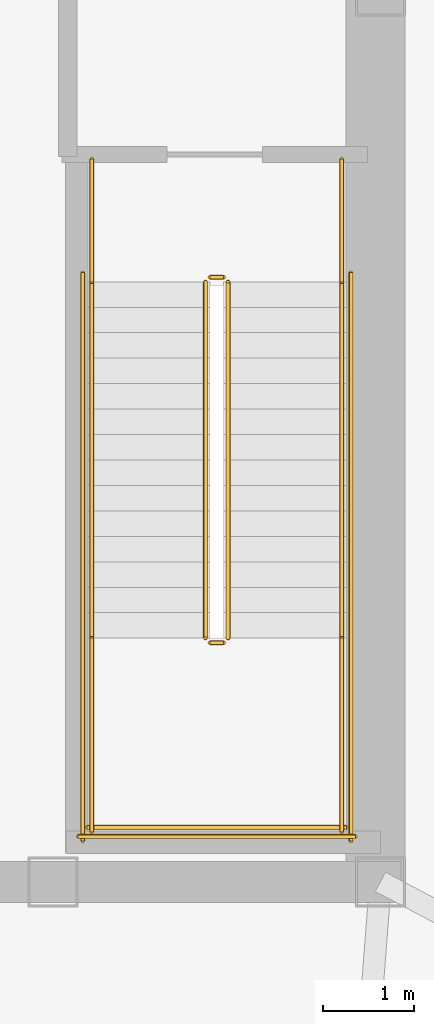
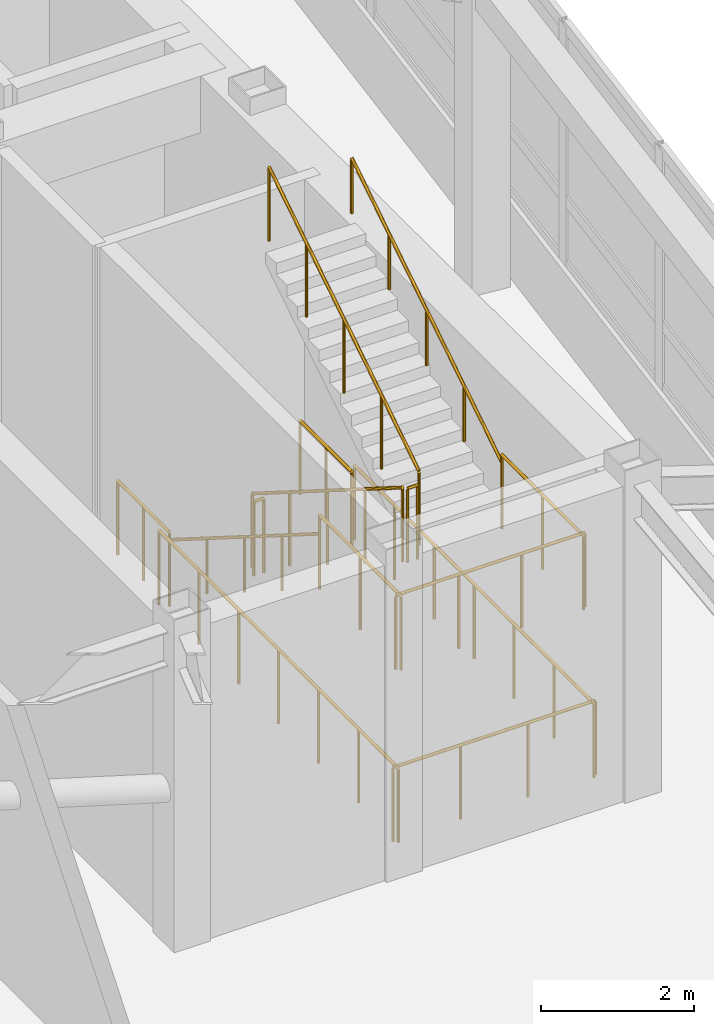
# One storey, part 23 of 23: 14 railings.
"""IFC4 building model written with IfcOpenShell, lengths in metres."""

from ifc_helpers import new_model, si_unit, direction, frame, origin, origin_2d, place, context, subcontext, project, spatial, circle, extrude, material, type_object, element, save


model = new_model("IFC4")

# Units and contexts
model_context = context("Model", 3, precision=1e-05, world=origin(), true_north=direction((0.0, 1.0)))
body_context = subcontext(model_context, "Body", "Model", "MODEL_VIEW")
ifc_project = project(units=[si_unit("LENGTHUNIT", "METRE"), si_unit("AREAUNIT", "SQUARE_METRE"), si_unit("VOLUMEUNIT", "CUBIC_METRE"), si_unit("PLANEANGLEUNIT", "RADIAN"), si_unit("MASSUNIT", "GRAM", prefix="KILO")], contexts=[model_context])

# Site, building, storey
site_placement = place(None, origin())
site = spatial("IfcSite", under=ifc_project, at=site_placement, CompositionType="ELEMENT")
building_placement = place(site_placement, origin())
building = spatial("IfcBuilding", under=site, at=building_placement, Name="Voryun Gate Residences", CompositionType="ELEMENT")
storey_placement = place(building_placement, frame((0.0, 0.0, 331.89990234375)))
storey = spatial("IfcBuildingStorey", under=building, at=storey_placement, Name="L81", CompositionType="ELEMENT", Elevation=331.89990234375)

# Railings
ifc_material_1 = material(Name="Painted steel", Category="steel")
railing_type_1 = type_object("IfcRailingType", Name="RAIL_STAIR_GUARD_1200", PredefinedType="GUARDRAIL", material=ifc_material_1)
railing_1_placement = place(storey_placement, frame((17.27490234375, -0.800048828125, 0.1767578125)))
element("IfcRailing", 1, at=railing_1_placement, inside=storey, type_object=railing_type_1, Name="L81 ST-E1 stair guard 1", PredefinedType="GUARDRAIL", context=body_context, shape_type="SweptSolid", body=[
    extrude(circle(Radius=0.02392578125, at=origin_2d()), frame((0.0, 0.0, 1.17578125), z_axis=(0.0, -0.845717874625, 0.533630280756), x_axis=(1.0, 0.0, 0.0)), (0.0, 0.0, 1.0), 4.635009765625),
    extrude(circle(Radius=0.02099609375, at=origin_2d()), origin(), (0.0, 0.0, 1.0), 1.15185546875),
    extrude(circle(Radius=0.02099609375, at=origin_2d()), frame((0.0, -0.97998046875, 0.618408203125)), (0.0, 0.0, 1.0), 1.15185546875),
    extrude(circle(Radius=0.02099609375, at=origin_2d()), frame((0.0, -1.9599609375, 1.23681640625)), (0.0, 0.0, 1.0), 1.15185546875),
    extrude(circle(Radius=0.02099609375, at=origin_2d()), frame((0.0, -2.93994140625, 1.85498046875)), (0.0, 0.0, 1.0), 1.15185546875),
    extrude(circle(Radius=0.02099609375, at=origin_2d()), frame((0.0, -3.919921875, 2.473388671875)), (0.0, 0.0, 1.0), 1.15185546875),
])
railing_2_placement = place(storey_placement, frame((17.324951171875, -4.77001953125, 2.650146484375)))
element("IfcRailing", 2, at=railing_2_placement, inside=storey, type_object=railing_type_1, Name="L81 ST-E1 stair guard 2", PredefinedType="GUARDRAIL", context=body_context, shape_type="SweptSolid", body=[
    extrude(circle(Radius=0.02392578125, at=origin_2d()), frame((0.0, 0.0, 1.17578125), z_axis=(1.0, 0.0, 0.0), x_axis=(0.0, 1.0, 0.0)), (0.0, 0.0, 1.0), 0.150146484375),
    extrude(circle(Radius=0.02099609375, at=origin_2d()), origin(), (0.0, 0.0, 1.0), 1.15185546875),
    extrude(circle(Radius=0.02099609375, at=origin_2d()), frame((0.150146484375, 0.0, 0.0)), (0.0, 0.0, 1.0), 1.15185546875),
])
for number, where, name in (
    (3, (16.02490234375, -4.719970703125, 2.650146484375), "L81 ST-E1 stair guard 3"),
    (4, (18.77490234375, -4.719970703125, 2.650146484375), "L81 ST-E1 stair guard 4"),
):
    element("IfcRailing", number, at=place(storey_placement, frame(where)), inside=storey, type_object=railing_type_1, Name=name, PredefinedType="GUARDRAIL", context=body_context, shape_type="SweptSolid", body=[
        extrude(circle(Radius=0.02392578125, at=origin_2d()), frame((0.0, 0.0, 1.17578125), z_axis=(0.0, -1.0, 0.0), x_axis=(1.0, 0.0, 0.0)), (0.0, 0.0, 1.0), 2.130126953125),
        extrude(circle(Radius=0.02099609375, at=origin_2d()), origin(), (0.0, 0.0, 1.0), 1.15185546875),
        extrude(circle(Radius=0.02099609375, at=origin_2d()), frame((0.0, -1.06494140625, 0.0)), (0.0, 0.0, 1.0), 1.15185546875),
        extrude(circle(Radius=0.02099609375, at=origin_2d()), frame((0.0, -2.130126953125, 0.0)), (0.0, 0.0, 1.0), 1.15185546875),
    ])
railing_3_placement = place(storey_placement, frame((15.97509765625, -6.800048828125, 2.650146484375)))
element("IfcRailing", 5, at=railing_3_placement, inside=storey, type_object=railing_type_1, Name="L81 ST-E1 stair guard 5", PredefinedType="GUARDRAIL", context=body_context, shape_type="SweptSolid", body=[
    extrude(circle(Radius=0.02392578125, at=origin_2d()), frame((0.0, 0.0, 1.17578125), z_axis=(1.0, 0.0, 0.0), x_axis=(0.0, 1.0, 0.0)), (0.0, 0.0, 1.0), 2.849853515625),
    extrude(circle(Radius=0.02099609375, at=origin_2d()), origin(), (0.0, 0.0, 1.0), 1.15185546875),
    extrude(circle(Radius=0.02099609375, at=origin_2d()), frame((0.949951171875, 0.0, 0.0)), (0.0, 0.0, 1.0), 1.15185546875),
    extrude(circle(Radius=0.02099609375, at=origin_2d()), frame((1.89990234375, 0.0, 0.0)), (0.0, 0.0, 1.0), 1.15185546875),
    extrude(circle(Radius=0.02099609375, at=origin_2d()), frame((2.849853515625, 0.0, 0.0)), (0.0, 0.0, 1.0), 1.15185546875),
])
railing_4_placement = place(storey_placement, frame((17.52490234375, -4.719970703125, 2.82666015625)))
element("IfcRailing", 6, at=railing_4_placement, inside=storey, type_object=railing_type_1, Name="L81 ST-E1 stair guard 6", PredefinedType="GUARDRAIL", context=body_context, shape_type="SweptSolid", body=[
    extrude(circle(Radius=0.02392578125, at=origin_2d()), frame((0.0, 0.0, 1.17578125), z_axis=(0.0, 0.845717874625, 0.533630280756), x_axis=(-1.0, 0.0, 0.0)), (0.0, 0.0, 1.0), 4.635009765625),
    extrude(circle(Radius=0.02099609375, at=origin_2d()), origin(), (0.0, 0.0, 1.0), 1.15185546875),
    extrude(circle(Radius=0.02099609375, at=origin_2d()), frame((0.0, 0.97998046875, 0.618408203125)), (0.0, 0.0, 1.0), 1.15185546875),
    extrude(circle(Radius=0.02099609375, at=origin_2d()), frame((0.0, 1.9599609375, 1.23681640625)), (0.0, 0.0, 1.0), 1.15185546875),
    extrude(circle(Radius=0.02099609375, at=origin_2d()), frame((0.0, 2.93994140625, 1.85498046875)), (0.0, 0.0, 1.0), 1.15185546875),
    extrude(circle(Radius=0.02099609375, at=origin_2d()), frame((0.0, 3.919921875, 2.473388671875)), (0.0, 0.0, 1.0), 1.15185546875),
])
railing_5_placement = place(storey_placement, frame((17.324951171875, -0.75, 0.0)))
element("IfcRailing", 7, at=railing_5_placement, inside=storey, type_object=railing_type_1, Name="L81 ST-E1 stair guard 7", PredefinedType="GUARDRAIL", context=body_context, shape_type="SweptSolid", body=[
    extrude(circle(Radius=0.02392578125, at=origin_2d()), frame((0.0, 0.0, 1.17578125), z_axis=(1.0, 0.0, 0.0), x_axis=(0.0, 1.0, 0.0)), (0.0, 0.0, 1.0), 0.150146484375),
    extrude(circle(Radius=0.02099609375, at=origin_2d()), origin(), (0.0, 0.0, 1.0), 1.15185546875),
    extrude(circle(Radius=0.02099609375, at=origin_2d()), frame((0.150146484375, 0.0, 0.0)), (0.0, 0.0, 1.0), 1.15185546875),
])
for number, where, name in (
    (8, (16.02490234375, 0.550048828125, 0.0), "L81 ST-E1 stair guard 8"),
    (9, (18.77490234375, 0.550048828125, 0.0), "L81 ST-E1 stair guard 9"),
):
    element("IfcRailing", number, at=place(storey_placement, frame(where)), inside=storey, type_object=railing_type_1, Name=name, PredefinedType="GUARDRAIL", context=body_context, shape_type="SweptSolid", body=[
        extrude(circle(Radius=0.02392578125, at=origin_2d()), frame((0.0, 0.0, 1.17578125), z_axis=(0.0, -1.0, 0.0), x_axis=(1.0, 0.0, 0.0)), (0.0, 0.0, 1.0), 1.35009765625),
        extrude(circle(Radius=0.02099609375, at=origin_2d()), origin(), (0.0, 0.0, 1.0), 1.15185546875),
        extrude(circle(Radius=0.02099609375, at=origin_2d()), frame((0.0, -0.675048828125, 0.0)), (0.0, 0.0, 1.0), 1.15185546875),
        extrude(circle(Radius=0.02099609375, at=origin_2d()), frame((0.0, -1.35009765625, 0.0)), (0.0, 0.0, 1.0), 1.15185546875),
    ])
for number, where, name in (
    (10, (15.925048828125, -0.699951171875, 0.0), "L81 ST-E1 stair guard 10"),
    (11, (18.875, -0.699951171875, 0.0), "L81 ST-E1 stair guard 11"),
):
    element("IfcRailing", number, at=place(storey_placement, frame(where)), inside=storey, type_object=railing_type_1, Name=name, PredefinedType="GUARDRAIL", context=body_context, shape_type="SweptSolid", body=[
        extrude(circle(Radius=0.02392578125, at=origin_2d()), frame((0.0, 0.0, 1.17578125), z_axis=(0.0, -1.0, 0.0), x_axis=(1.0, 0.0, 0.0)), (0.0, 0.0, 1.0), 6.25),
        extrude(circle(Radius=0.02099609375, at=origin_2d()), origin(), (0.0, 0.0, 1.0), 1.15185546875),
        extrude(circle(Radius=0.02099609375, at=origin_2d()), frame((0.0, -1.041748046875, 0.0)), (0.0, 0.0, 1.0), 1.15185546875),
        extrude(circle(Radius=0.02099609375, at=origin_2d()), frame((0.0, -2.083251953125, 0.0)), (0.0, 0.0, 1.0), 1.15185546875),
        extrude(circle(Radius=0.02099609375, at=origin_2d()), frame((0.0, -3.125, 0.0)), (0.0, 0.0, 1.0), 1.15185546875),
        extrude(circle(Radius=0.02099609375, at=origin_2d()), frame((0.0, -4.166748046875, 0.0)), (0.0, 0.0, 1.0), 1.15185546875),
        extrude(circle(Radius=0.02099609375, at=origin_2d()), frame((0.0, -5.208251953125, 0.0)), (0.0, 0.0, 1.0), 1.15185546875),
        extrude(circle(Radius=0.02099609375, at=origin_2d()), frame((0.0, -6.25, 0.0)), (0.0, 0.0, 1.0), 1.15185546875),
    ])
railing_6_placement = place(storey_placement, frame((15.875, -6.89990234375, 0.0)))
element("IfcRailing", 12, at=railing_6_placement, inside=storey, type_object=railing_type_1, Name="L81 ST-E1 stair guard 12", PredefinedType="GUARDRAIL", context=body_context, shape_type="SweptSolid", body=[
    extrude(circle(Radius=0.02392578125, at=origin_2d()), frame((0.0, 0.0, 1.17578125), z_axis=(1.0, 0.0, 0.0), x_axis=(0.0, 1.0, 0.0)), (0.0, 0.0, 1.0), 3.050048828125),
    extrude(circle(Radius=0.02099609375, at=origin_2d()), origin(), (0.0, 0.0, 1.0), 1.15185546875),
    extrude(circle(Radius=0.02099609375, at=origin_2d()), frame((1.0166015625, 0.0, 0.0)), (0.0, 0.0, 1.0), 1.15185546875),
    extrude(circle(Radius=0.02099609375, at=origin_2d()), frame((2.033447265625, 0.0, 0.0)), (0.0, 0.0, 1.0), 1.15185546875),
    extrude(circle(Radius=0.02099609375, at=origin_2d()), frame((3.050048828125, 0.0, 0.0)), (0.0, 0.0, 1.0), 1.15185546875),
])
ifc_material_2 = material(Name="Painted steel", Category="steel")
railing_type_2 = type_object("IfcRailingType", Name="RAIL_STAIR_HANDRAIL_900", PredefinedType="HANDRAIL", material=ifc_material_2)
railing_7_placement = place(storey_placement, frame((16.02490234375, -0.800048828125, 0.1767578125)))
element("IfcRailing", 13, at=railing_7_placement, inside=storey, type_object=railing_type_2, Name="L81 ST-E1 stair handrail 1", PredefinedType="HANDRAIL", context=body_context, shape_type="SweptSolid", body=[
    extrude(circle(Radius=0.02392578125, at=origin_2d()), frame((0.0, 0.0, 0.8759765625), z_axis=(0.0, -0.845717874625, 0.533630280756), x_axis=(1.0, 0.0, 0.0)), (0.0, 0.0, 1.0), 4.635009765625),
    extrude(circle(Radius=0.02099609375, at=origin_2d()), origin(), (0.0, 0.0, 1.0), 0.851806640625),
    extrude(circle(Radius=0.02099609375, at=origin_2d()), frame((0.0, -0.97998046875, 0.618408203125)), (0.0, 0.0, 1.0), 0.851806640625),
    extrude(circle(Radius=0.02099609375, at=origin_2d()), frame((0.0, -1.9599609375, 1.23681640625)), (0.0, 0.0, 1.0), 0.851806640625),
    extrude(circle(Radius=0.02099609375, at=origin_2d()), frame((0.0, -2.93994140625, 1.85498046875)), (0.0, 0.0, 1.0), 0.851806640625),
    extrude(circle(Radius=0.02099609375, at=origin_2d()), frame((0.0, -3.919921875, 2.473388671875)), (0.0, 0.0, 1.0), 0.851806640625),
])
railing_8_placement = place(storey_placement, frame((18.77490234375, -4.719970703125, 2.82666015625)))
element("IfcRailing", 14, at=railing_8_placement, inside=storey, type_object=railing_type_2, Name="L81 ST-E1 stair handrail 2", PredefinedType="HANDRAIL", context=body_context, shape_type="SweptSolid", body=[
    extrude(circle(Radius=0.02392578125, at=origin_2d()), frame((0.0, 0.0, 0.8759765625), z_axis=(0.0, 0.845717874625, 0.533630280756), x_axis=(-1.0, 0.0, 0.0)), (0.0, 0.0, 1.0), 4.635009765625),
    extrude(circle(Radius=0.02099609375, at=origin_2d()), origin(), (0.0, 0.0, 1.0), 0.851806640625),
    extrude(circle(Radius=0.02099609375, at=origin_2d()), frame((0.0, 0.97998046875, 0.618408203125)), (0.0, 0.0, 1.0), 0.851806640625),
    extrude(circle(Radius=0.02099609375, at=origin_2d()), frame((0.0, 1.9599609375, 1.23681640625)), (0.0, 0.0, 1.0), 0.851806640625),
    extrude(circle(Radius=0.02099609375, at=origin_2d()), frame((0.0, 2.93994140625, 1.85498046875)), (0.0, 0.0, 1.0), 0.851806640625),
    extrude(circle(Radius=0.02099609375, at=origin_2d()), frame((0.0, 3.919921875, 2.473388671875)), (0.0, 0.0, 1.0), 0.851806640625),
])

save(model, "model.ifc")
